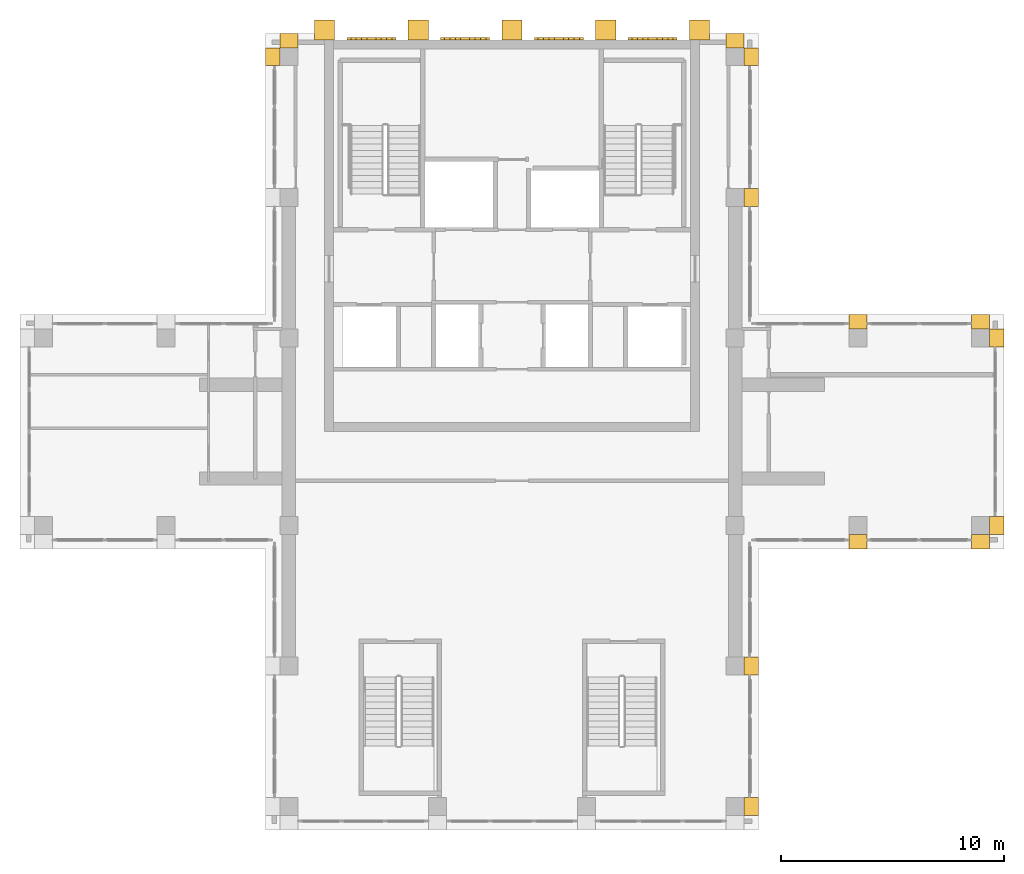
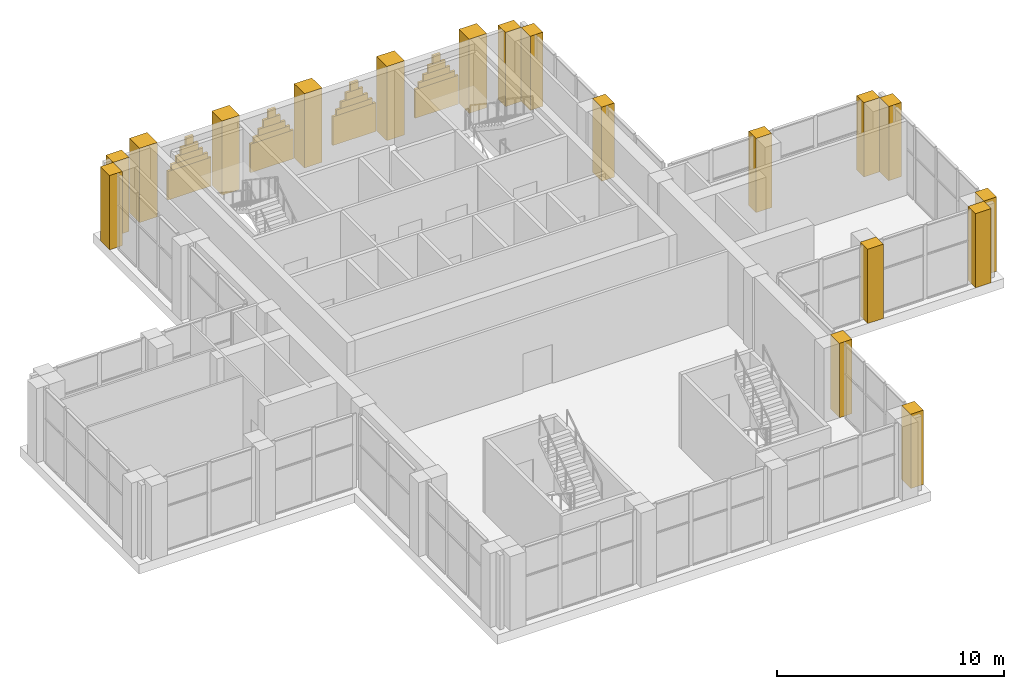
# One storey, part 15 of 15: 38 coverings.
"""IFC4 building model written with IfcOpenShell, lengths in metres."""

from ifc_helpers import new_model, si_unit, direction, frame, origin, place, context, subcontext, project, spatial, polyline, outline, extrude, material, type_object, element, save


model = new_model("IFC4")

# Units and contexts
model_context = context("Model", 3, precision=1e-05, world=origin(), true_north=direction((0.0, 1.0)))
body_context = subcontext(model_context, "Body", "Model", "MODEL_VIEW")
ifc_project = project(units=[si_unit("LENGTHUNIT", "METRE"), si_unit("AREAUNIT", "SQUARE_METRE"), si_unit("VOLUMEUNIT", "CUBIC_METRE"), si_unit("PLANEANGLEUNIT", "RADIAN"), si_unit("MASSUNIT", "GRAM", prefix="KILO")], contexts=[model_context])

# Site, building, storey
site_placement = place(None, origin())
site = spatial("IfcSite", under=ifc_project, at=site_placement, CompositionType="ELEMENT")
building_placement = place(site_placement, origin())
building = spatial("IfcBuilding", under=site, at=building_placement, Name="Vermilion Ogive Tower", CompositionType="ELEMENT")
storey_placement = place(building_placement, frame((0.0, 0.0, 293.85009765625)))
storey = spatial("IfcBuildingStorey", under=building, at=storey_placement, Name="L76", CompositionType="ELEMENT", Elevation=293.85009765625)

# Coverings
ifc_material_1 = material(Name="Stone cladding", Category="masonry")
covering_type_1 = type_object("IfcCoveringType", Name="Core buttress pier", PredefinedType="CLADDING", material=ifc_material_1)
covering_1_placement = place(storey_placement, origin())
element("IfcCovering", 1, at=covering_1_placement, inside=storey, type_object=covering_type_1, Name="Buttress pier L76 N1", PredefinedType="CLADDING", context=body_context, shape_type="SweptSolid", body=[
    extrude(outline(polyline([(-8.85009765625, 21.75), (-7.949951171875, 21.75), (-7.949951171875, 22.64990234375), (-8.85009765625, 22.64990234375), (-8.85009765625, 21.75)])), origin(), (0.0, 0.0, 1.0), 4.0),
])
covering_2_placement = place(storey_placement, origin())
element("IfcCovering", 2, at=covering_2_placement, inside=storey, type_object=covering_type_1, Name="Buttress pier L76 N2", PredefinedType="CLADDING", context=body_context, shape_type="SweptSolid", body=[
    extrude(outline(polyline([(-4.64990234375, 21.75), (-3.75, 21.75), (-3.75, 22.64990234375), (-4.64990234375, 22.64990234375), (-4.64990234375, 21.75)])), origin(), (0.0, 0.0, 1.0), 4.0),
])
covering_3_placement = place(storey_placement, origin())
element("IfcCovering", 3, at=covering_3_placement, inside=storey, type_object=covering_type_1, Name="Buttress pier L76 N3", PredefinedType="CLADDING", context=body_context, shape_type="SweptSolid", body=[
    extrude(outline(polyline([(-0.449951171875, 21.75), (0.449951171875, 21.75), (0.449951171875, 22.64990234375), (-0.449951171875, 22.64990234375), (-0.449951171875, 21.75)])), origin(), (0.0, 0.0, 1.0), 4.0),
])
covering_4_placement = place(storey_placement, origin())
element("IfcCovering", 4, at=covering_4_placement, inside=storey, type_object=covering_type_1, Name="Buttress pier L76 N4", PredefinedType="CLADDING", context=body_context, shape_type="SweptSolid", body=[
    extrude(outline(polyline([(3.75, 21.75), (4.64990234375, 21.75), (4.64990234375, 22.64990234375), (3.75, 22.64990234375), (3.75, 21.75)])), origin(), (0.0, 0.0, 1.0), 4.0),
])
covering_5_placement = place(storey_placement, origin())
element("IfcCovering", 5, at=covering_5_placement, inside=storey, type_object=covering_type_1, Name="Buttress pier L76 N5", PredefinedType="CLADDING", context=body_context, shape_type="SweptSolid", body=[
    extrude(outline(polyline([(7.949951171875, 21.75), (8.85009765625, 21.75), (8.85009765625, 22.64990234375), (7.949951171875, 22.64990234375), (7.949951171875, 21.75)])), origin(), (0.0, 0.0, 1.0), 4.0),
])
ifc_material_2 = material(Name="Stone cladding", Category="masonry")
covering_type_2 = type_object("IfcCoveringType", Name="Lancet panel", PredefinedType="CLADDING", material=ifc_material_2)
covering_6_placement = place(storey_placement, frame((0.0, 0.0, 0.699951171875)))
element("IfcCovering", 6, at=covering_6_placement, inside=storey, type_object=covering_type_2, Name="Lancet panel L76N1A", PredefinedType="CLADDING", context=body_context, shape_type="SweptSolid", body=[
    extrude(outline(polyline([(-7.39990234375, 21.75), (-5.199951171875, 21.75), (-5.199951171875, 21.8701171875), (-7.39990234375, 21.8701171875), (-7.39990234375, 21.75)])), origin(), (0.0, 0.0, 1.0), 1.550048828125),
])
covering_7_placement = place(storey_placement, frame((0.0, 0.0, 2.25)))
element("IfcCovering", 7, at=covering_7_placement, inside=storey, type_object=covering_type_2, Name="Lancet panel L76N1B", PredefinedType="CLADDING", context=body_context, shape_type="SweptSolid", body=[
    extrude(outline(polyline([(-7.22412109375, 21.75), (-5.3759765625, 21.75), (-5.3759765625, 21.8701171875), (-7.22412109375, 21.8701171875), (-7.22412109375, 21.75)])), origin(), (0.0, 0.0, 1.0), 0.2998046875),
])
covering_8_placement = place(storey_placement, frame((0.0, 0.0, 2.5498046875)))
element("IfcCovering", 8, at=covering_8_placement, inside=storey, type_object=covering_type_2, Name="Lancet panel L76N1C", PredefinedType="CLADDING", context=body_context, shape_type="SweptSolid", body=[
    extrude(outline(polyline([(-6.98193359375, 21.75), (-5.617919921875, 21.75), (-5.617919921875, 21.8701171875), (-6.98193359375, 21.8701171875), (-6.98193359375, 21.75)])), origin(), (0.0, 0.0, 1.0), 0.35009765625),
])
covering_9_placement = place(storey_placement, frame((0.0, 0.0, 2.89990234375)))
element("IfcCovering", 9, at=covering_9_placement, inside=storey, type_object=covering_type_2, Name="Lancet panel L76N1D", PredefinedType="CLADDING", context=body_context, shape_type="SweptSolid", body=[
    extrude(outline(polyline([(-6.739990234375, 21.75), (-5.860107421875, 21.75), (-5.860107421875, 21.8701171875), (-6.739990234375, 21.8701171875), (-6.739990234375, 21.75)])), origin(), (0.0, 0.0, 1.0), 0.39990234375),
])
covering_10_placement = place(storey_placement, frame((0.0, 0.0, 3.2998046875)))
element("IfcCovering", 10, at=covering_10_placement, inside=storey, type_object=covering_type_2, Name="Lancet panel L76N1E", PredefinedType="CLADDING", context=body_context, shape_type="SweptSolid", body=[
    extrude(outline(polyline([(-6.498046875, 21.75), (-6.10205078125, 21.75), (-6.10205078125, 21.8701171875), (-6.498046875, 21.8701171875), (-6.498046875, 21.75)])), origin(), (0.0, 0.0, 1.0), 0.4501953125),
])
covering_11_placement = place(storey_placement, frame((0.0, 0.0, 0.699951171875)))
element("IfcCovering", 11, at=covering_11_placement, inside=storey, type_object=covering_type_2, Name="Lancet panel L76N2A", PredefinedType="CLADDING", context=body_context, shape_type="SweptSolid", body=[
    extrude(outline(polyline([(-3.199951171875, 21.75), (-1.0, 21.75), (-1.0, 21.8701171875), (-3.199951171875, 21.8701171875), (-3.199951171875, 21.75)])), origin(), (0.0, 0.0, 1.0), 1.550048828125),
])
covering_12_placement = place(storey_placement, frame((0.0, 0.0, 2.25)))
element("IfcCovering", 12, at=covering_12_placement, inside=storey, type_object=covering_type_2, Name="Lancet panel L76N2B", PredefinedType="CLADDING", context=body_context, shape_type="SweptSolid", body=[
    extrude(outline(polyline([(-3.02392578125, 21.75), (-1.176025390625, 21.75), (-1.176025390625, 21.8701171875), (-3.02392578125, 21.8701171875), (-3.02392578125, 21.75)])), origin(), (0.0, 0.0, 1.0), 0.2998046875),
])
covering_13_placement = place(storey_placement, frame((0.0, 0.0, 2.5498046875)))
element("IfcCovering", 13, at=covering_13_placement, inside=storey, type_object=covering_type_2, Name="Lancet panel L76N2C", PredefinedType="CLADDING", context=body_context, shape_type="SweptSolid", body=[
    extrude(outline(polyline([(-2.781982421875, 21.75), (-1.41796875, 21.75), (-1.41796875, 21.8701171875), (-2.781982421875, 21.8701171875), (-2.781982421875, 21.75)])), origin(), (0.0, 0.0, 1.0), 0.35009765625),
])
covering_14_placement = place(storey_placement, frame((0.0, 0.0, 2.89990234375)))
element("IfcCovering", 14, at=covering_14_placement, inside=storey, type_object=covering_type_2, Name="Lancet panel L76N2D", PredefinedType="CLADDING", context=body_context, shape_type="SweptSolid", body=[
    extrude(outline(polyline([(-2.5400390625, 21.75), (-1.659912109375, 21.75), (-1.659912109375, 21.8701171875), (-2.5400390625, 21.8701171875), (-2.5400390625, 21.75)])), origin(), (0.0, 0.0, 1.0), 0.39990234375),
])
covering_15_placement = place(storey_placement, frame((0.0, 0.0, 3.2998046875)))
element("IfcCovering", 15, at=covering_15_placement, inside=storey, type_object=covering_type_2, Name="Lancet panel L76N2E", PredefinedType="CLADDING", context=body_context, shape_type="SweptSolid", body=[
    extrude(outline(polyline([(-2.298095703125, 21.75), (-1.902099609375, 21.75), (-1.902099609375, 21.8701171875), (-2.298095703125, 21.8701171875), (-2.298095703125, 21.75)])), origin(), (0.0, 0.0, 1.0), 0.4501953125),
])
covering_16_placement = place(storey_placement, frame((0.0, 0.0, 0.699951171875)))
element("IfcCovering", 16, at=covering_16_placement, inside=storey, type_object=covering_type_2, Name="Lancet panel L76N3A", PredefinedType="CLADDING", context=body_context, shape_type="SweptSolid", body=[
    extrude(outline(polyline([(1.0, 21.75), (3.199951171875, 21.75), (3.199951171875, 21.8701171875), (1.0, 21.8701171875), (1.0, 21.75)])), origin(), (0.0, 0.0, 1.0), 1.550048828125),
])
covering_17_placement = place(storey_placement, frame((0.0, 0.0, 2.25)))
element("IfcCovering", 17, at=covering_17_placement, inside=storey, type_object=covering_type_2, Name="Lancet panel L76N3B", PredefinedType="CLADDING", context=body_context, shape_type="SweptSolid", body=[
    extrude(outline(polyline([(1.176025390625, 21.75), (3.02392578125, 21.75), (3.02392578125, 21.8701171875), (1.176025390625, 21.8701171875), (1.176025390625, 21.75)])), origin(), (0.0, 0.0, 1.0), 0.2998046875),
])
covering_18_placement = place(storey_placement, frame((0.0, 0.0, 2.5498046875)))
element("IfcCovering", 18, at=covering_18_placement, inside=storey, type_object=covering_type_2, Name="Lancet panel L76N3C", PredefinedType="CLADDING", context=body_context, shape_type="SweptSolid", body=[
    extrude(outline(polyline([(1.41796875, 21.75), (2.781982421875, 21.75), (2.781982421875, 21.8701171875), (1.41796875, 21.8701171875), (1.41796875, 21.75)])), origin(), (0.0, 0.0, 1.0), 0.35009765625),
])
covering_19_placement = place(storey_placement, frame((0.0, 0.0, 2.89990234375)))
element("IfcCovering", 19, at=covering_19_placement, inside=storey, type_object=covering_type_2, Name="Lancet panel L76N3D", PredefinedType="CLADDING", context=body_context, shape_type="SweptSolid", body=[
    extrude(outline(polyline([(1.659912109375, 21.75), (2.5400390625, 21.75), (2.5400390625, 21.8701171875), (1.659912109375, 21.8701171875), (1.659912109375, 21.75)])), origin(), (0.0, 0.0, 1.0), 0.39990234375),
])
covering_20_placement = place(storey_placement, frame((0.0, 0.0, 3.2998046875)))
element("IfcCovering", 20, at=covering_20_placement, inside=storey, type_object=covering_type_2, Name="Lancet panel L76N3E", PredefinedType="CLADDING", context=body_context, shape_type="SweptSolid", body=[
    extrude(outline(polyline([(1.902099609375, 21.75), (2.298095703125, 21.75), (2.298095703125, 21.8701171875), (1.902099609375, 21.8701171875), (1.902099609375, 21.75)])), origin(), (0.0, 0.0, 1.0), 0.4501953125),
])
covering_21_placement = place(storey_placement, frame((0.0, 0.0, 0.699951171875)))
element("IfcCovering", 21, at=covering_21_placement, inside=storey, type_object=covering_type_2, Name="Lancet panel L76N4A", PredefinedType="CLADDING", context=body_context, shape_type="SweptSolid", body=[
    extrude(outline(polyline([(5.199951171875, 21.75), (7.39990234375, 21.75), (7.39990234375, 21.8701171875), (5.199951171875, 21.8701171875), (5.199951171875, 21.75)])), origin(), (0.0, 0.0, 1.0), 1.550048828125),
])
covering_22_placement = place(storey_placement, frame((0.0, 0.0, 2.25)))
element("IfcCovering", 22, at=covering_22_placement, inside=storey, type_object=covering_type_2, Name="Lancet panel L76N4B", PredefinedType="CLADDING", context=body_context, shape_type="SweptSolid", body=[
    extrude(outline(polyline([(5.3759765625, 21.75), (7.22412109375, 21.75), (7.22412109375, 21.8701171875), (5.3759765625, 21.8701171875), (5.3759765625, 21.75)])), origin(), (0.0, 0.0, 1.0), 0.2998046875),
])
covering_23_placement = place(storey_placement, frame((0.0, 0.0, 2.5498046875)))
element("IfcCovering", 23, at=covering_23_placement, inside=storey, type_object=covering_type_2, Name="Lancet panel L76N4C", PredefinedType="CLADDING", context=body_context, shape_type="SweptSolid", body=[
    extrude(outline(polyline([(5.617919921875, 21.75), (6.98193359375, 21.75), (6.98193359375, 21.8701171875), (5.617919921875, 21.8701171875), (5.617919921875, 21.75)])), origin(), (0.0, 0.0, 1.0), 0.35009765625),
])
covering_24_placement = place(storey_placement, frame((0.0, 0.0, 2.89990234375)))
element("IfcCovering", 24, at=covering_24_placement, inside=storey, type_object=covering_type_2, Name="Lancet panel L76N4D", PredefinedType="CLADDING", context=body_context, shape_type="SweptSolid", body=[
    extrude(outline(polyline([(5.860107421875, 21.75), (6.739990234375, 21.75), (6.739990234375, 21.8701171875), (5.860107421875, 21.8701171875), (5.860107421875, 21.75)])), origin(), (0.0, 0.0, 1.0), 0.39990234375),
])
covering_25_placement = place(storey_placement, frame((0.0, 0.0, 3.2998046875)))
element("IfcCovering", 25, at=covering_25_placement, inside=storey, type_object=covering_type_2, Name="Lancet panel L76N4E", PredefinedType="CLADDING", context=body_context, shape_type="SweptSolid", body=[
    extrude(outline(polyline([(6.10205078125, 21.75), (6.498046875, 21.75), (6.498046875, 21.8701171875), (6.10205078125, 21.8701171875), (6.10205078125, 21.75)])), origin(), (0.0, 0.0, 1.0), 0.4501953125),
])
ifc_material_3 = material(Name="Stone cladding", Category="masonry")
covering_type_3 = type_object("IfcCoveringType", Name="Stone pier", PredefinedType="CLADDING", material=ifc_material_3)
covering_26_placement = place(storey_placement, origin())
element("IfcCovering", 26, at=covering_26_placement, inside=storey, type_object=covering_type_3, Name="Stone pier P+0100+147", PredefinedType="CLADDING", context=body_context, shape_type="SweptSolid", body=[
    extrude(outline(polyline([(11.050048828125, 15.10009765625), (11.050048828125, 14.300048828125), (10.39990234375, 14.300048828125), (10.39990234375, 15.10009765625), (11.050048828125, 15.10009765625)])), origin(), (0.0, 0.0, 1.0), 4.0),
])
covering_27_placement = place(storey_placement, origin())
element("IfcCovering", 27, at=covering_27_placement, inside=storey, type_object=covering_type_3, Name="Stone pier P+0100+210X4", PredefinedType="CLADDING", context=body_context, shape_type="SweptSolid", body=[
    extrude(outline(polyline([(11.050048828125, 21.39990234375), (11.050048828125, 20.60009765625), (10.39990234375, 20.60009765625), (10.39990234375, 21.39990234375), (11.050048828125, 21.39990234375)])), origin(), (0.0, 0.0, 1.0), 4.0),
])
covering_28_placement = place(storey_placement, origin())
element("IfcCovering", 28, at=covering_28_placement, inside=storey, type_object=covering_type_3, Name="Stone pier P+0100+210N1", PredefinedType="CLADDING", context=body_context, shape_type="SweptSolid", body=[
    extrude(outline(polyline([(10.39990234375, 22.050048828125), (10.39990234375, 21.39990234375), (9.60009765625, 21.39990234375), (9.60009765625, 22.050048828125), (10.39990234375, 22.050048828125)])), origin(), (0.0, 0.0, 1.0), 4.0),
])
covering_29_placement = place(storey_placement, origin())
element("IfcCovering", 29, at=covering_29_placement, inside=storey, type_object=covering_type_3, Name="Stone pier P+0100-063", PredefinedType="CLADDING", context=body_context, shape_type="SweptSolid", body=[
    extrude(outline(polyline([(11.050048828125, -5.89990234375), (11.050048828125, -6.699951171875), (10.39990234375, -6.699951171875), (10.39990234375, -5.89990234375), (11.050048828125, -5.89990234375)])), origin(), (0.0, 0.0, 1.0), 4.0),
])
covering_30_placement = place(storey_placement, origin())
element("IfcCovering", 30, at=covering_30_placement, inside=storey, type_object=covering_type_3, Name="Stone pier P+0100-126X1", PredefinedType="CLADDING", context=body_context, shape_type="SweptSolid", body=[
    extrude(outline(polyline([(11.050048828125, -13.0), (10.39990234375, -13.0), (10.39990234375, -12.199951171875), (11.050048828125, -12.199951171875), (11.050048828125, -13.0)])), origin(), (0.0, 0.0, 1.0), 4.0),
])
covering_31_placement = place(storey_placement, origin())
element("IfcCovering", 31, at=covering_31_placement, inside=storey, type_object=covering_type_3, Name="Stone pier P+0155+000", PredefinedType="CLADDING", context=body_context, shape_type="SweptSolid", body=[
    extrude(outline(polyline([(15.89990234375, -1.050048828125), (15.10009765625, -1.050048828125), (15.10009765625, -0.39990234375), (15.89990234375, -0.39990234375), (15.89990234375, -1.050048828125)])), origin(), (0.0, 0.0, 1.0), 4.0),
])
covering_32_placement = place(storey_placement, origin())
element("IfcCovering", 32, at=covering_32_placement, inside=storey, type_object=covering_type_3, Name="Stone pier P+0155+084", PredefinedType="CLADDING", context=body_context, shape_type="SweptSolid", body=[
    extrude(outline(polyline([(15.10009765625, 9.449951171875), (15.89990234375, 9.449951171875), (15.89990234375, 8.800048828125), (15.10009765625, 8.800048828125), (15.10009765625, 9.449951171875)])), origin(), (0.0, 0.0, 1.0), 4.0),
])
covering_33_placement = place(storey_placement, origin())
element("IfcCovering", 33, at=covering_33_placement, inside=storey, type_object=covering_type_3, Name="Stone pier P+0210+000X2", PredefinedType="CLADDING", context=body_context, shape_type="SweptSolid", body=[
    extrude(outline(polyline([(21.39990234375, -1.050048828125), (20.60009765625, -1.050048828125), (20.60009765625, -0.39990234375), (21.39990234375, -0.39990234375), (21.39990234375, -1.050048828125)])), origin(), (0.0, 0.0, 1.0), 4.0),
])
covering_34_placement = place(storey_placement, origin())
element("IfcCovering", 34, at=covering_34_placement, inside=storey, type_object=covering_type_3, Name="Stone pier P+0210+000E", PredefinedType="CLADDING", context=body_context, shape_type="SweptSolid", body=[
    extrude(outline(polyline([(22.050048828125, -0.39990234375), (21.39990234375, -0.39990234375), (21.39990234375, 0.39990234375), (22.050048828125, 0.39990234375), (22.050048828125, -0.39990234375)])), origin(), (0.0, 0.0, 1.0), 4.0),
])
covering_35_placement = place(storey_placement, origin())
element("IfcCovering", 35, at=covering_35_placement, inside=storey, type_object=covering_type_3, Name="Stone pier P+0210+084E", PredefinedType="CLADDING", context=body_context, shape_type="SweptSolid", body=[
    extrude(outline(polyline([(22.050048828125, 8.800048828125), (22.050048828125, 8.0), (21.39990234375, 8.0), (21.39990234375, 8.800048828125), (22.050048828125, 8.800048828125)])), origin(), (0.0, 0.0, 1.0), 4.0),
])
covering_36_placement = place(storey_placement, origin())
element("IfcCovering", 36, at=covering_36_placement, inside=storey, type_object=covering_type_3, Name="Stone pier P+0210+084X3", PredefinedType="CLADDING", context=body_context, shape_type="SweptSolid", body=[
    extrude(outline(polyline([(21.39990234375, 9.449951171875), (21.39990234375, 8.800048828125), (20.60009765625, 8.800048828125), (20.60009765625, 9.449951171875), (21.39990234375, 9.449951171875)])), origin(), (0.0, 0.0, 1.0), 4.0),
])
covering_37_placement = place(storey_placement, origin())
element("IfcCovering", 37, at=covering_37_placement, inside=storey, type_object=covering_type_3, Name="Stone pier P-0100+210N2", PredefinedType="CLADDING", context=body_context, shape_type="SweptSolid", body=[
    extrude(outline(polyline([(-10.39990234375, 22.050048828125), (-9.60009765625, 22.050048828125), (-9.60009765625, 21.39990234375), (-10.39990234375, 21.39990234375), (-10.39990234375, 22.050048828125)])), origin(), (0.0, 0.0, 1.0), 4.0),
])
covering_38_placement = place(storey_placement, origin())
element("IfcCovering", 38, at=covering_38_placement, inside=storey, type_object=covering_type_3, Name="Stone pier P-0100+210X5", PredefinedType="CLADDING", context=body_context, shape_type="SweptSolid", body=[
    extrude(outline(polyline([(-11.050048828125, 21.39990234375), (-10.39990234375, 21.39990234375), (-10.39990234375, 20.60009765625), (-11.050048828125, 20.60009765625), (-11.050048828125, 21.39990234375)])), origin(), (0.0, 0.0, 1.0), 4.0),
])

save(model, "model.ifc")
